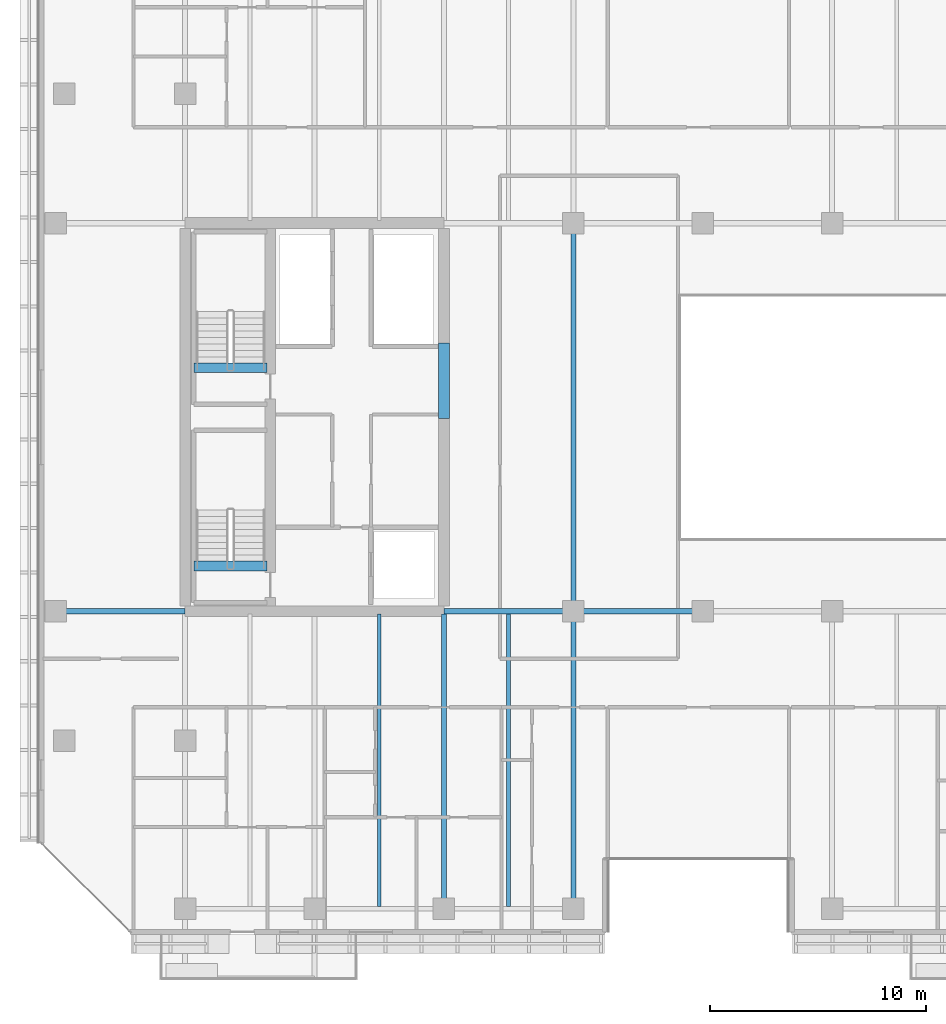
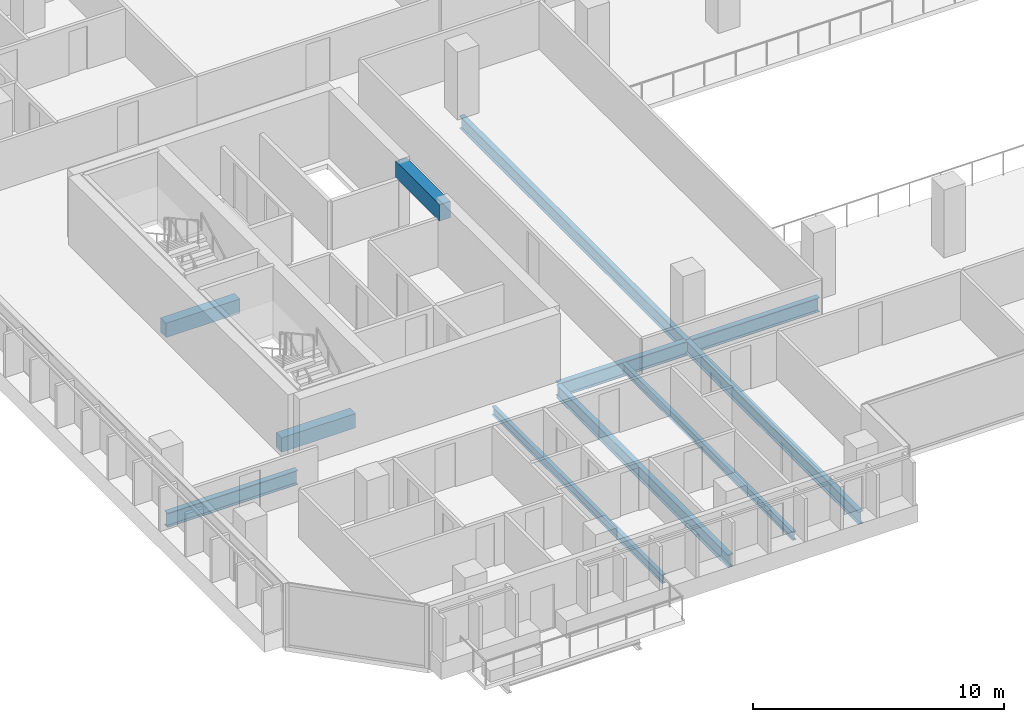
# One storey, part 5 of 35: 11 beams.
"""IFC4 building model written with IfcOpenShell, lengths in metres."""

from ifc_helpers import new_model, si_unit, direction, frame, origin, origin_2d, place, context, subcontext, project, spatial, rectangle, i_section, extrude, material, material_profile, profile_set, type_object, element, save


model = new_model("IFC4")

# Units and contexts
model_context = context("Model", 3, precision=1e-05, world=origin(), true_north=direction((0.0, 1.0)))
body_context = subcontext(model_context, "Body", "Model", "MODEL_VIEW")
ifc_project = project(units=[si_unit("LENGTHUNIT", "METRE"), si_unit("AREAUNIT", "SQUARE_METRE"), si_unit("VOLUMEUNIT", "CUBIC_METRE"), si_unit("PLANEANGLEUNIT", "RADIAN"), si_unit("MASSUNIT", "GRAM", prefix="KILO")], contexts=[model_context])

# Site, building, storey
site_placement = place(None, origin())
site = spatial("IfcSite", under=ifc_project, at=site_placement, CompositionType="ELEMENT")
building_placement = place(site_placement, origin())
building = spatial("IfcBuilding", under=site, at=building_placement, Name="Tanjung Sevakor Pilgrim Tower", CompositionType="ELEMENT")
storey_placement = place(building_placement, frame((0.0, 0.0, 92.070068359375)))
storey = spatial("IfcBuildingStorey", under=building, at=storey_placement, Name="L25", CompositionType="ELEMENT", Elevation=92.070068359375)

# Beams
ifc_material_1 = material(Name="Steel S355J2", Category="steel")
ifc_material_profile_1 = material_profile(ifc_material_1, i_section(OverallWidth=0.25439453125, OverallDepth=0.6875, WebThickness=0.01318359375, FlangeThickness=0.02099609375, FilletRadius=0.01513671875, at=origin_2d()))
ifc_profile_set_1 = profile_set([ifc_material_profile_1], Name="Steel S355J2")
beam_type_1 = type_object("IfcBeamType", Name="BM-B-G2-UB_686x254x152", PredefinedType="BEAM", material=ifc_profile_set_1)
for number, where, z_axis, x_axis, name in (
    (1, (18.0, 24.60009765625, -0.56396484375), (1.0, 0.0, 0.0), (0.0, 1.0, 0.0), "L25 Primary Floor Girder MAIN Y246-01"),
    (2, (36.0, 24.60009765625, -0.56396484375), (1.0, 0.0, 0.0), (0.0, 1.0, 0.0), "L25 Primary Floor Girder MAIN Y246-02"),
    (3, (42.0, 24.60009765625, -0.56396484375), (1.0, 0.0, 0.0), (0.0, 1.0, 0.0), "L25 Primary Floor Girder MAIN Y246-03"),
):
    element("IfcBeam", number, at=place(storey_placement, frame(where, z_axis=z_axis, x_axis=x_axis)), inside=storey, type_object=beam_type_1, Name=name, PredefinedType="BEAM", context=body_context, shape_type="SweptSolid", body=[
        extrude(i_section(OverallWidth=0.25439453125, OverallDepth=0.6875, WebThickness=0.01318359375, FlangeThickness=0.02099609375, FilletRadius=0.01513671875, at=origin_2d()), origin(), (0.0, 0.0, 1.0), 6.0),
    ])
ifc_material_2 = material(Name="Steel S355J2", Category="steel")
ifc_material_profile_2 = material_profile(ifc_material_2, i_section(OverallWidth=0.230224609375, OverallDepth=0.6171875, WebThickness=0.01318359375, FlangeThickness=0.022216796875, FilletRadius=0.0126953125, at=origin_2d()))
ifc_profile_set_2 = profile_set([ifc_material_profile_2], Name="Steel S355J2")
beam_type_2 = type_object("IfcBeamType", Name="BM-B-G3-UB_610x229x140", PredefinedType="BEAM", material=ifc_profile_set_2)
beam_1_placement = place(storey_placement, frame((36.0, 10.800048828125, -0.528564453125), z_axis=(0.0, 1.0, 0.0), x_axis=(-1.0, 0.0, 0.0)))
element("IfcBeam", 4, at=beam_1_placement, inside=storey, type_object=beam_type_2, Name="L25 MAIN Girder 005", PredefinedType="BEAM", context=body_context, shape_type="SweptSolid", body=[
    extrude(i_section(OverallWidth=0.230224609375, OverallDepth=0.6171875, WebThickness=0.01318359375, FlangeThickness=0.022216796875, FilletRadius=0.0126953125, at=origin_2d()), origin(), (0.0, 0.0, 1.0), 13.672607421875),
])
beam_2_placement = place(storey_placement, frame((42.0, 10.800048828125, -0.528564453125), z_axis=(0.0, 1.0, 0.0), x_axis=(-1.0, 0.0, 0.0)))
element("IfcBeam", 5, at=beam_2_placement, inside=storey, type_object=beam_type_2, Name="L25 MAIN Girder 009", PredefinedType="BEAM", context=body_context, shape_type="SweptSolid", body=[
    extrude(i_section(OverallWidth=0.230224609375, OverallDepth=0.6171875, WebThickness=0.01318359375, FlangeThickness=0.022216796875, FilletRadius=0.0126953125, at=origin_2d()), origin(), (0.0, 0.0, 1.0), 13.800048828125),
])
beam_3_placement = place(storey_placement, frame((42.0, 24.60009765625, -0.528564453125), z_axis=(0.0, 1.0, 0.0), x_axis=(-1.0, 0.0, 0.0)))
element("IfcBeam", 6, at=beam_3_placement, inside=storey, type_object=beam_type_2, Name="L25 MAIN Girder 010", PredefinedType="BEAM", context=body_context, shape_type="SweptSolid", body=[
    extrude(i_section(OverallWidth=0.230224609375, OverallDepth=0.6171875, WebThickness=0.01318359375, FlangeThickness=0.022216796875, FilletRadius=0.0126953125, at=origin_2d()), origin(), (0.0, 0.0, 1.0), 18.0),
])
ifc_material_3 = material(Name="Steel S355J2", Category="steel")
ifc_material_profile_3 = material_profile(ifc_material_3, i_section(OverallWidth=0.1787109375, OverallDepth=0.409423828125, WebThickness=0.0087890625, FlangeThickness=0.014404296875, FilletRadius=0.01025390625, at=origin_2d()))
ifc_profile_set_3 = profile_set([ifc_material_profile_3], Name="Steel S355J2")
beam_type_3 = type_object("IfcBeamType", Name="BM-B-J3-UB_406x178x67", PredefinedType="JOIST", material=ifc_profile_set_3)
for number, where, z_axis, x_axis, name in (
    (7, (33.0, 10.89990234375, -0.4248046875), (0.0, 1.0, 0.0), (-1.0, 0.0, 0.0), "L25 MAIN Joist 003"),
    (8, (39.0, 10.89990234375, -0.4248046875), (0.0, 1.0, 0.0), (-1.0, 0.0, 0.0), "L25 MAIN Joist 007"),
):
    element("IfcBeam", number, at=place(storey_placement, frame(where, z_axis=z_axis, x_axis=x_axis)), inside=storey, type_object=beam_type_3, Name=name, PredefinedType="JOIST", context=body_context, shape_type="SweptSolid", body=[
        extrude(i_section(OverallWidth=0.1787109375, OverallDepth=0.409423828125, WebThickness=0.0087890625, FlangeThickness=0.014404296875, FilletRadius=0.01025390625, at=origin_2d()), origin(), (0.0, 0.0, 1.0), 13.57275390625),
    ])
ifc_material_4 = material(Name="Concrete C60/75", Category="concrete")
ifc_material_profile_4 = material_profile(ifc_material_4, rectangle(XDim=0.5, YDim=0.800048828125, at=origin_2d()))
ifc_profile_set_4 = profile_set([ifc_material_profile_4], Name="Concrete C60/75")
beam_type_4 = type_object("IfcBeamType", Name="BM-B-LN2-RC-BM_500x800", PredefinedType="LINTEL", material=ifc_profile_set_4)
beam_4_placement = place(storey_placement, frame((36.0, 33.550048828125, 2.679931640625), z_axis=(0.0, 1.0, 0.0), x_axis=(-1.0, 0.0, 0.0)))
element("IfcBeam", 9, at=beam_4_placement, inside=storey, type_object=beam_type_4, Name="L25 W Core Coupling Lintel", PredefinedType="LINTEL", context=body_context, shape_type="SweptSolid", body=[
    extrude(rectangle(XDim=0.5, YDim=0.800048828125, at=origin_2d()), origin(), (0.0, 0.0, 1.0), 3.5),
])
ifc_material_5 = material(Name="Concrete C60/75", Category="concrete")
ifc_material_profile_5 = material_profile(ifc_material_5, rectangle(XDim=0.449951171875, YDim=0.699951171875, at=origin_2d()))
ifc_profile_set_5 = profile_set([ifc_material_profile_5], Name="Concrete C60/75")
beam_type_5 = type_object("IfcBeamType", Name="BM-B-LN3-RC-BM_450x700", PredefinedType="LINTEL", material=ifc_profile_set_5)
for number, where, z_axis, x_axis, name in (
    (10, (24.39990234375, 26.699951171875, -0.35009765625), (1.0, 0.0, 0.0), (0.0, 1.0, 0.0), "L25 TS-W1 Stair Threshold Beam"),
    (11, (24.39990234375, 35.89990234375, -0.35009765625), (1.0, 0.0, 0.0), (0.0, 1.0, 0.0), "L25 TS-W2 Stair Threshold Beam"),
):
    element("IfcBeam", number, at=place(storey_placement, frame(where, z_axis=z_axis, x_axis=x_axis)), inside=storey, type_object=beam_type_5, Name=name, PredefinedType="LINTEL", context=body_context, shape_type="SweptSolid", body=[
        extrude(rectangle(XDim=0.449951171875, YDim=0.699951171875, at=origin_2d()), origin(), (0.0, 0.0, 1.0), 3.400146484375),
    ])

save(model, "model.ifc")
